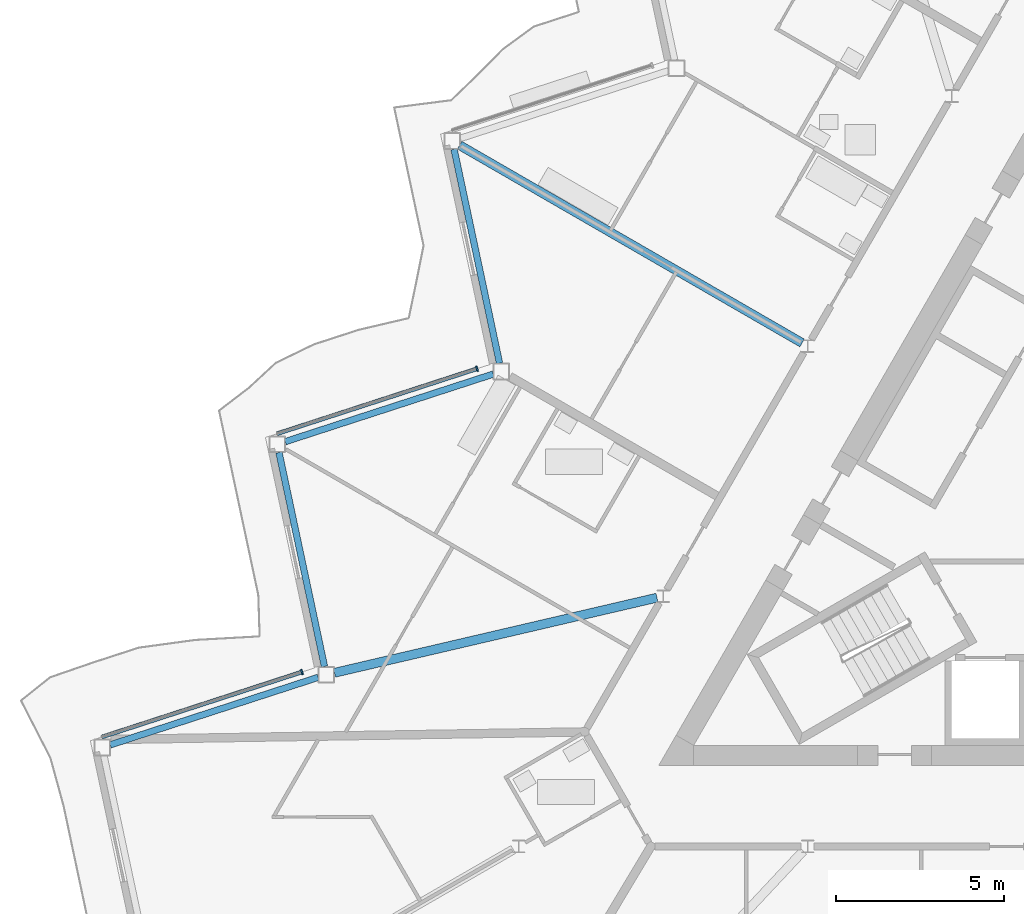
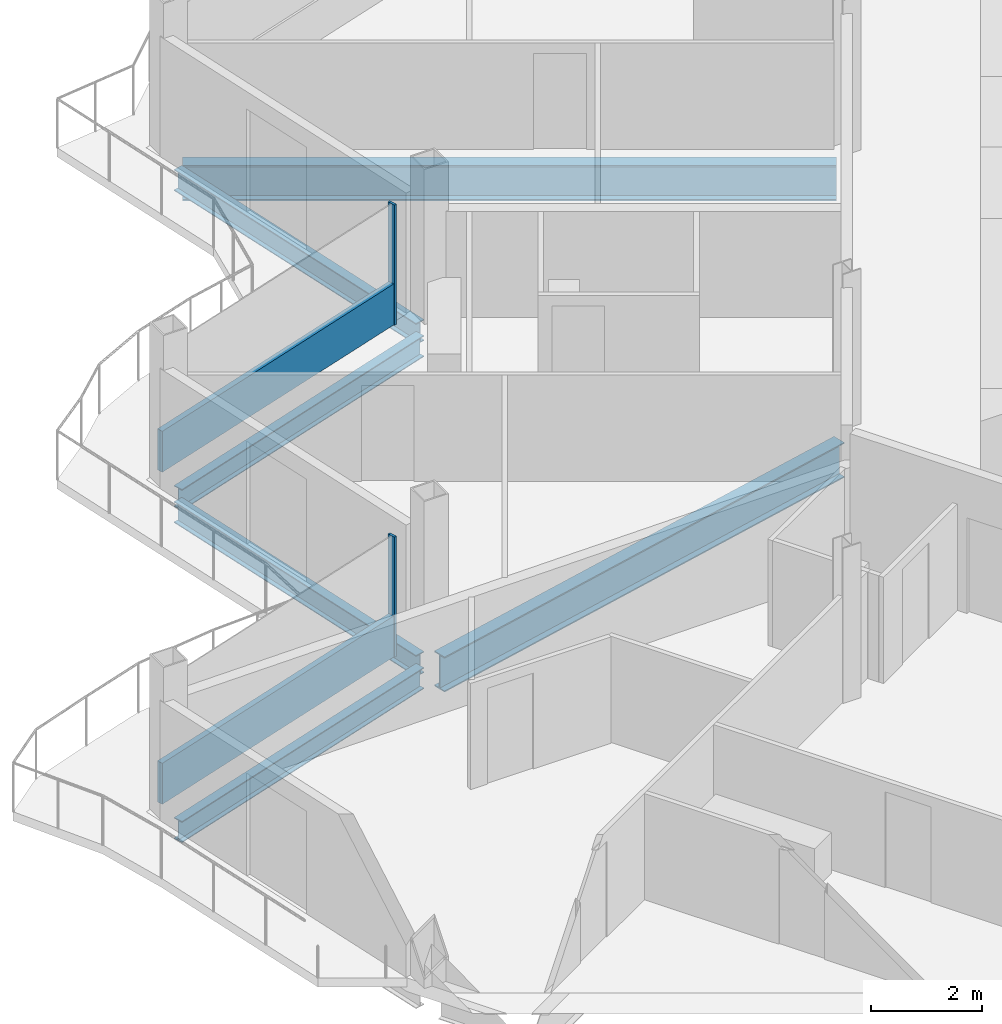
# One storey, part 6 of 26: 6 beams, 4 members, 2 elements without a shape of their own.
"""IFC4 building model written with IfcOpenShell, lengths in metres."""

from ifc_helpers import new_model, si_unit, direction, frame, origin, origin_2d, place, context, subcontext, project, spatial, rectangle, i_section, extrude, material, layer, layer_set, material_profile, profile_set, type_object, element, aggregate, save


model = new_model("IFC4")

# Units and contexts
model_context = context("Model", 3, precision=1e-05, world=origin(), true_north=direction((0.0, 1.0)))
body_context = subcontext(model_context, "Body", "Model", "MODEL_VIEW")
ifc_project = project(units=[si_unit("LENGTHUNIT", "METRE"), si_unit("AREAUNIT", "SQUARE_METRE"), si_unit("VOLUMEUNIT", "CUBIC_METRE"), si_unit("PLANEANGLEUNIT", "RADIAN"), si_unit("MASSUNIT", "GRAM", prefix="KILO")], contexts=[model_context])

# Site, building, storey
site_placement = place(None, origin())
site = spatial("IfcSite", under=ifc_project, at=site_placement, CompositionType="ELEMENT")
building_placement = place(site_placement, origin())
building = spatial("IfcBuilding", under=site, at=building_placement, Name="Cormorant Prow Tower", CompositionType="ELEMENT")
storey_placement = place(building_placement, frame((0.0, 0.0, 384.800048828125)))
storey = spatial("IfcBuildingStorey", under=building, at=storey_placement, Name="L87", CompositionType="ELEMENT", Elevation=384.800048828125)

# Beams
ifc_material_1 = material(Name="Structural steel ASTM A992 Gr 50", Category="steel")
ifc_material_profile_1 = material_profile(ifc_material_1, i_section(OverallWidth=0.267822265625, OverallDepth=0.77001953125, WebThickness=0.015625, FlangeThickness=0.025390625, at=origin_2d()), Name="W30x132")
ifc_profile_set_1 = profile_set([ifc_material_profile_1], Name="Structural steel ASTM A992 Gr 50")
beam_type_1 = type_object("IfcBeamType", Name="Radial floor beam W30x132", PredefinedType="BEAM", material=ifc_profile_set_1)
beam_1_placement = place(storey_placement, frame((-8.740478515625, 5.04638671875, -0.68505859375), z_axis=(-0.866026702285, 0.499997750924, 0.0), x_axis=(-0.499997750924, -0.866026702285, 0.0)))
element("IfcBeam", 1, at=beam_1_placement, inside=storey, type_object=beam_type_1, Name="Radial floor beam FB3 3 L87", PredefinedType="BEAM", context=body_context, shape_type="SweptSolid", body=[
    extrude(i_section(OverallWidth=0.267822265625, OverallDepth=0.77001953125, WebThickness=0.015625, FlangeThickness=0.025390625, at=origin_2d()), origin(), (0.0, 0.0, 1.0), 11.7451171875),
])
beam_2_placement = place(storey_placement, frame((-13.0498046875, -2.518798828125, -0.68505859375), z_axis=(-0.973926084128, -0.226865560752, 0.0), x_axis=(0.226865560752, -0.973926084128, 0.0)))
element("IfcBeam", 2, at=beam_2_placement, inside=storey, type_object=beam_type_1, Name="Radial floor beam FB3 4 L87", PredefinedType="BEAM", context=body_context, shape_type="SweptSolid", body=[
    extrude(i_section(OverallWidth=0.267822265625, OverallDepth=0.77001953125, WebThickness=0.015625, FlangeThickness=0.025390625, at=origin_2d()), origin(), (0.0, 0.0, 1.0), 9.837158203125),
])

# Curtain wall, member
ifc_material_2 = material(Name="Aluminium 6063-T6", Category="aluminium")
ifc_layer = layer(ifc_material_2, 0.159912109375)
ifc_layer_set = layer_set([ifc_layer], Name="Aluminium 6063-T6")
curtain_wall_type = type_object("IfcCurtainWallType", Name="Residential unitised curtain wall 160", PredefinedType="NOTDEFINED", material=ifc_layer_set)
curtain_wall_1_placement = place(storey_placement, origin())
curtain_wall_1 = element("IfcCurtainWall", 3, at=curtain_wall_1_placement, inside=storey, type_object=curtain_wall_type, Name="Residential curtain wall WNW06", PredefinedType="NOTDEFINED")
ifc_material_3 = material(Name="Aluminium 6063-T6", Category="aluminium")
ifc_material_profile_2 = material_profile(ifc_material_3, rectangle(XDim=0.159912109375, YDim=0.050048828125, at=origin_2d()), Name="Residential mullion 50x160")
ifc_profile_set_2 = profile_set([ifc_material_profile_2], Name="Aluminium 6063-T6")
member_type_1 = type_object("IfcMemberType", Name="Residential mullion 50x160", PredefinedType="MULLION", material=ifc_profile_set_2)
member_1_placement = place(storey_placement, frame((-18.3955078125, 4.28076171875, 0.0), z_axis=(0.0, 0.0, 1.0), x_axis=(0.309017024369, -0.951056506549, 0.0)))
member_1 = element("IfcMember", 4, at=member_1_placement, type_object=member_type_1, Name="Residential mullion WNW06", PredefinedType="MULLION", context=body_context, shape_type="SweptSolid", body=[
    extrude(rectangle(XDim=0.159912109375, YDim=0.050048828125, at=origin_2d()), origin(), (0.0, 0.0, 1.0), 2.6337890625),
])

curtain_wall_2_placement = place(storey_placement, origin())
curtain_wall_2 = element("IfcCurtainWall", 5, at=curtain_wall_2_placement, inside=storey, type_object=curtain_wall_type, Name="Residential curtain wall WNW08", PredefinedType="NOTDEFINED")
member_2_placement = place(storey_placement, frame((-23.595458984375, -4.72607421875, 0.0), z_axis=(0.0, 0.0, 1.0), x_axis=(0.309016895096, -0.951056548553, 0.0)))
member_2 = element("IfcMember", 6, at=member_2_placement, type_object=member_type_1, Name="Residential mullion WNW08", PredefinedType="MULLION", context=body_context, shape_type="SweptSolid", body=[
    extrude(rectangle(XDim=0.159912109375, YDim=0.050048828125, at=origin_2d()), origin(), (0.0, 0.0, 1.0), 2.6337890625),
])

# Member
ifc_material_4 = material(Name="Terracotta", Category="masonry")
ifc_material_profile_3 = material_profile(ifc_material_4, rectangle(XDim=0.1201171875, YDim=0.89990234375, at=origin_2d()), Name="Residential terracotta spandrel rail 120x900")
ifc_profile_set_3 = profile_set([ifc_material_profile_3], Name="Terracotta")
member_type_2 = type_object("IfcMemberType", Name="Residential terracotta spandrel rail 120x900", PredefinedType="USERDEFINED", material=ifc_profile_set_3)
member_3_placement = place(storey_placement, frame((-18.419189453125, 4.27294921875, 0.449951171875), z_axis=(-0.951056004715, -0.309018568854, 0.0), x_axis=(0.309018568854, -0.951056004715, 0.0)))
member_3 = element("IfcMember", 7, at=member_3_placement, type_object=member_type_2, Name="Residential spandrel rail WNW06", ObjectType="TRANSOM", PredefinedType="USERDEFINED", context=body_context, shape_type="SweptSolid", body=[
    extrude(rectangle(XDim=0.1201171875, YDim=0.89990234375, at=origin_2d()), origin(), (0.0, 0.0, 1.0), 6.21533203125),
])

aggregate(curtain_wall_1, [member_1, member_3])

member_4_placement = place(storey_placement, frame((-23.619140625, -4.733642578125, 0.449951171875), z_axis=(-0.951056004715, -0.309018568854, 0.0), x_axis=(0.309018568854, -0.951056004715, 0.0)))
member_4 = element("IfcMember", 8, at=member_4_placement, type_object=member_type_2, Name="Residential spandrel rail WNW08", ObjectType="TRANSOM", PredefinedType="USERDEFINED", context=body_context, shape_type="SweptSolid", body=[
    extrude(rectangle(XDim=0.1201171875, YDim=0.89990234375, at=origin_2d()), origin(), (0.0, 0.0, 1.0), 6.21533203125),
])

aggregate(curtain_wall_2, [member_2, member_4])

# Beams
ifc_material_5 = material(Name="Structural steel ASTM A992 Gr 50", Category="steel")
ifc_material_profile_4 = material_profile(ifc_material_5, i_section(OverallWidth=0.19287109375, OverallDepth=0.466064453125, WebThickness=0.011474609375, FlangeThickness=0.01904296875, at=origin_2d()), Name="W18x65")
ifc_profile_set_4 = profile_set([ifc_material_profile_4], Name="Structural steel ASTM A992 Gr 50")
beam_type_2 = type_object("IfcBeamType", Name="Spandrel beam W18x65", PredefinedType="SPANDREL", material=ifc_profile_set_4)
for number, where, z_axis, x_axis, name in (
    (9, (-19.07666015625, 10.79931640625, -0.533203125), (0.207909538847, -0.978148058147, 0.0), (0.978148058147, 0.207909538847, 0.0), "Spandrel beam SB4 WNW05-WNW06 L87"),
    (10, (-17.91162109375, 4.122314453125, -0.533203125), (-0.951053396625, -0.309026595569, 0.0), (0.309026595569, -0.951053396625, 0.0), "Spandrel beam SB4 WNW06-WNW07 L87"),
    (11, (-24.276611328125, 1.792724609375, -0.533203125), (0.207909538847, -0.978148058147, 0.0), (0.978148058147, 0.207909538847, 0.0), "Spandrel beam SB4 WNW07-WNW08 L87"),
    (12, (-23.111572265625, -4.88427734375, -0.533203125), (-0.951053396625, -0.309026595569, 0.0), (0.309026595569, -0.951053396625, 0.0), "Spandrel beam SB4 WNW08-WNW09 L87"),
):
    element("IfcBeam", number, at=place(storey_placement, frame(where, z_axis=z_axis, x_axis=x_axis)), inside=storey, type_object=beam_type_2, Name=name, PredefinedType="SPANDREL", context=body_context, shape_type="SweptSolid", body=[
        extrude(i_section(OverallWidth=0.19287109375, OverallDepth=0.466064453125, WebThickness=0.011474609375, FlangeThickness=0.01904296875, at=origin_2d()), origin(), (0.0, 0.0, 1.0), 6.497314453125),
    ])

save(model, "model.ifc")
